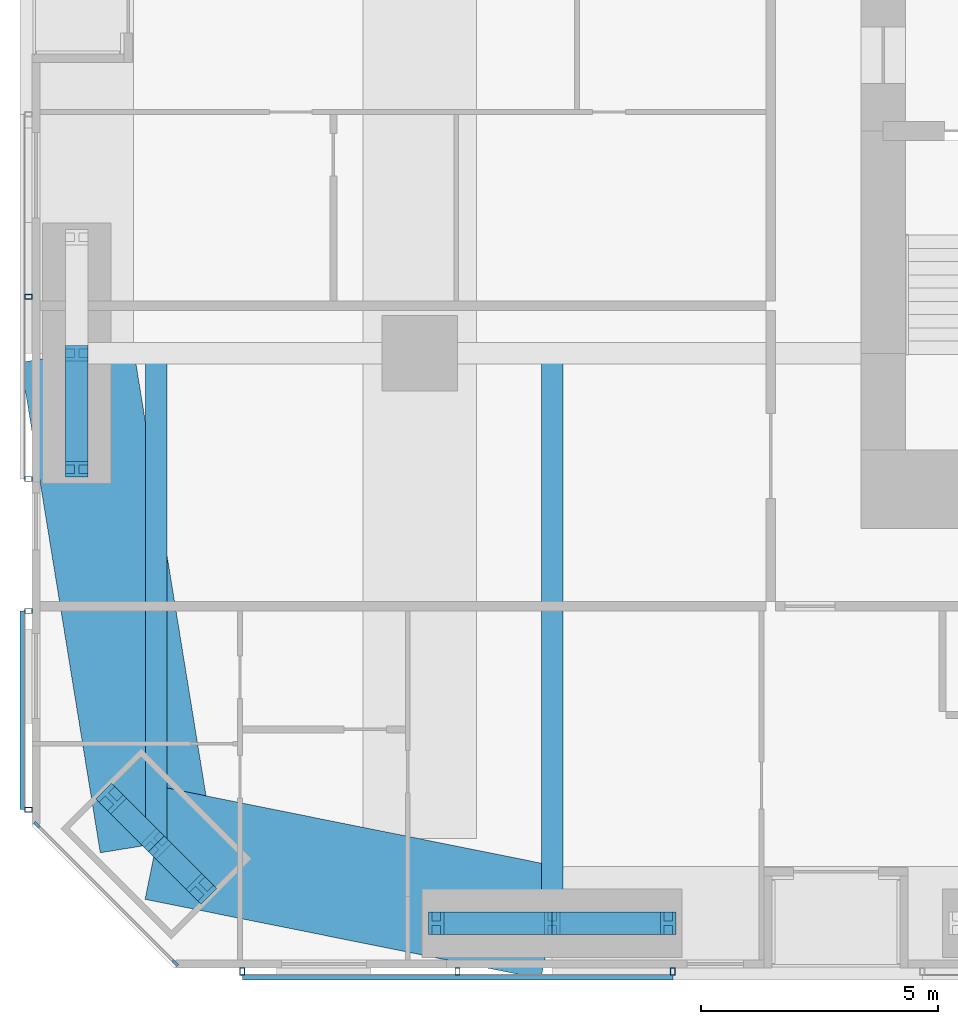
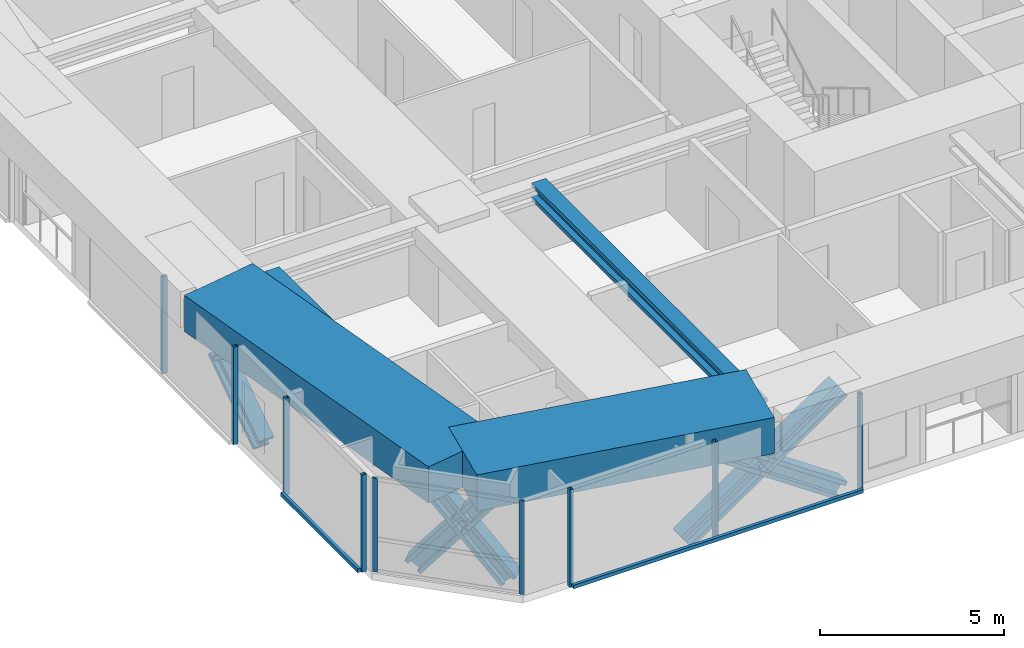
# One storey, part 2 of 22: 21 members, 4 beams, 4 elements without a shape of their own.
"""IFC4 building model written with IfcOpenShell, lengths in metres."""

from ifc_helpers import new_model, si_unit, direction, frame, origin, origin_2d, place, context, subcontext, project, spatial, rectangle, hollow_rectangle, i_section, extrude, material, material_profile, profile_set, type_object, element, aggregate, save


model = new_model("IFC4")

# Units and contexts
model_context = context("Model", 3, precision=1e-05, world=origin(), true_north=direction((0.0, 1.0)))
body_context = subcontext(model_context, "Body", "Model", "MODEL_VIEW")
ifc_project = project(units=[si_unit("LENGTHUNIT", "METRE"), si_unit("AREAUNIT", "SQUARE_METRE"), si_unit("VOLUMEUNIT", "CUBIC_METRE"), si_unit("PLANEANGLEUNIT", "RADIAN"), si_unit("MASSUNIT", "GRAM", prefix="KILO")], contexts=[model_context])

# Site, building, storey
site_placement = place(None, origin())
site = spatial("IfcSite", under=ifc_project, at=site_placement, CompositionType="ELEMENT")
building_placement = place(site_placement, origin())
building = spatial("IfcBuilding", under=site, at=building_placement, Name="Jalousie Tower", CompositionType="ELEMENT")
storey_placement = place(building_placement, frame((0.0, 0.0, 67.89990234375)))
storey = spatial("IfcBuildingStorey", under=building, at=storey_placement, Name="L18", CompositionType="ELEMENT", Elevation=67.89990234375)

# Curtain wall, members
ifc_material_1 = material(Name="Aluminium curtain wall", Category="aluminium")
curtain_wall_type_1 = type_object("IfcCurtainWallType", Name="CORNER WINDOW WALL", PredefinedType="USERDEFINED", material=ifc_material_1)
curtain_wall_1_placement = place(storey_placement, origin())
curtain_wall_1 = element("IfcCurtainWall", 1, at=curtain_wall_1_placement, inside=storey, type_object=curtain_wall_type_1, Name="Corner Window Wall L18 8", ObjectType="CORNER WINDOW WALL", PredefinedType="USERDEFINED")
ifc_material_2 = material(Name="Aluminium mullion", Category="aluminium")
ifc_material_profile_1 = material_profile(ifc_material_2, rectangle(XDim=0.06005859375, YDim=0.14990234375, at=origin_2d()), Name="MULLION 60x150")
ifc_profile_set_1 = profile_set([ifc_material_profile_1], Name="Aluminium mullion")
member_type_1 = type_object("IfcMemberType", Name="CORNER WINDOW WALL MULLION", PredefinedType="MULLION", material=ifc_profile_set_1)
member_1_placement = place(storey_placement, frame((2.108642578125, 3.030029296875, 0.0), z_axis=(0.0, 0.0, 1.0), x_axis=(0.707106781187, 0.707106781187, 0.0)))
member_1 = element("IfcMember", 2, at=member_1_placement, type_object=member_type_1, Name="CW-C mullion 1", PredefinedType="MULLION", context=body_context, shape_type="SweptSolid", body=[
    extrude(rectangle(XDim=0.06005859375, YDim=0.14990234375, at=origin_2d()), origin(), (0.0, 0.0, 1.0), 3.110107421875),
])
member_2_placement = place(storey_placement, frame((5.030029296875, 0.108642578125, 0.0), z_axis=(0.0, 0.0, 1.0), x_axis=(0.707106781187, 0.707106781187, 0.0)))
member_2 = element("IfcMember", 3, at=member_2_placement, type_object=member_type_1, Name="CW-C mullion 2", PredefinedType="MULLION", context=body_context, shape_type="SweptSolid", body=[
    extrude(rectangle(XDim=0.06005859375, YDim=0.14990234375, at=origin_2d()), origin(), (0.0, 0.0, 1.0), 3.110107421875),
])
aggregate(curtain_wall_1, [member_1, member_2])

# Beams
ifc_material_3 = material(Name="Steel ASTM A992 Grade 50", Category="steel")
ifc_material_profile_2 = material_profile(ifc_material_3, i_section(OverallWidth=0.45458984375, OverallDepth=0.569091796875, WebThickness=0.077880859375, FlangeThickness=0.124755859375, at=origin_2d()), Name="W14X730")
ifc_profile_set_2 = profile_set([ifc_material_profile_2], Name="Steel ASTM A992 Grade 50")
beam_type_1 = type_object("IfcBeamType", Name="LEAN COLLECTOR W14X730", PredefinedType="BEAM", material=ifc_profile_set_2)
beam_1_placement = place(storey_placement, frame((4.63134765625, 2.63134765625, 2.82568359375), z_axis=(0.0, 1.0, 0.0), x_axis=(-1.0, 0.0, 0.0)))
element("IfcBeam", 4, at=beam_1_placement, inside=storey, type_object=beam_type_1, Name="Lean collector under L19", PredefinedType="BEAM", context=body_context, shape_type="SweptSolid", body=[
    extrude(i_section(OverallWidth=0.45458984375, OverallDepth=0.569091796875, WebThickness=0.077880859375, FlangeThickness=0.124755859375, at=origin_2d()), origin(), (0.0, 0.0, 1.0), 10.36865234375),
])
beam_2_placement = place(storey_placement, frame((13.0, 0.949951171875, 2.82568359375), z_axis=(0.0, 1.0, 0.0), x_axis=(-1.0, 0.0, 0.0)))
element("IfcBeam", 5, at=beam_2_placement, inside=storey, type_object=beam_type_1, Name="Lean collector under L19", PredefinedType="BEAM", context=body_context, shape_type="SweptSolid", body=[
    extrude(i_section(OverallWidth=0.45458984375, OverallDepth=0.569091796875, WebThickness=0.077880859375, FlangeThickness=0.124755859375, at=origin_2d()), origin(), (0.0, 0.0, 1.0), 12.050048828125),
])

# Members
ifc_material_4 = material(Name="Steel ASTM A992 Grade 50", Category="steel")
ifc_material_profile_3 = material_profile(ifc_material_4, i_section(OverallWidth=0.472412109375, OverallDepth=0.5791015625, WebThickness=0.094970703125, FlangeThickness=0.1298828125, at=origin_2d()), Name="W14X808")
ifc_profile_set_3 = profile_set([ifc_material_profile_3], Name="Steel ASTM A992 Grade 50")
member_type_2 = type_object("IfcMemberType", Name="PERIMETER BRACE W14X808", PredefinedType="BRACE", material=ifc_profile_set_3)
member_3_placement = place(storey_placement, frame((3.6767578125, 3.5859375, -0.599853515625), z_axis=(0.443718327034, -0.443718327034, 0.778606506849), x_axis=(0.707106781187, 0.707106781187, 0.0)))
element("IfcMember", 6, at=member_3_placement, inside=storey, type_object=member_type_2, Name="Perimeter brace 01 L18 part 1", PredefinedType="BRACE", context=body_context, shape_type="SweptSolid", body=[
    extrude(i_section(OverallWidth=0.472412109375, OverallDepth=0.5791015625, WebThickness=0.094970703125, FlangeThickness=0.1298828125, at=origin_2d()), origin(), (0.0, 0.0, 1.0), 2.1513671875),
])
member_4_placement = place(storey_placement, frame((4.63134765625, 2.63134765625, 1.0751953125), z_axis=(0.443757535686, -0.443757535686, 0.778561814529), x_axis=(0.707106781187, 0.707106781187, 0.0)))
element("IfcMember", 7, at=member_4_placement, inside=storey, type_object=member_type_2, Name="Perimeter brace 01 L18 part 2", PredefinedType="BRACE", context=body_context, shape_type="SweptSolid", body=[
    extrude(i_section(OverallWidth=0.472412109375, OverallDepth=0.5791015625, WebThickness=0.094970703125, FlangeThickness=0.1298828125, at=origin_2d()), origin(), (0.0, 0.0, 1.0), 2.151123046875),
])
member_5_placement = place(storey_placement, frame((5.5859375, 1.6767578125, -0.599853515625), z_axis=(-0.443718327034, 0.443718327034, 0.778606506849), x_axis=(-0.707106781187, -0.707106781187, 0.0)))
element("IfcMember", 8, at=member_5_placement, inside=storey, type_object=member_type_2, Name="Perimeter brace 01 L18 part 3", PredefinedType="BRACE", context=body_context, shape_type="SweptSolid", body=[
    extrude(i_section(OverallWidth=0.472412109375, OverallDepth=0.5791015625, WebThickness=0.094970703125, FlangeThickness=0.1298828125, at=origin_2d()), origin(), (0.0, 0.0, 1.0), 2.1513671875),
])
member_6_placement = place(storey_placement, frame((4.63134765625, 2.63134765625, 1.0751953125), z_axis=(-0.443757535686, 0.443757535686, 0.778561814529), x_axis=(-0.707106781187, -0.707106781187, 0.0)))
element("IfcMember", 9, at=member_6_placement, inside=storey, type_object=member_type_2, Name="Perimeter brace 01 L18 part 4", PredefinedType="BRACE", context=body_context, shape_type="SweptSolid", body=[
    extrude(i_section(OverallWidth=0.472412109375, OverallDepth=0.5791015625, WebThickness=0.094970703125, FlangeThickness=0.1298828125, at=origin_2d()), origin(), (0.0, 0.0, 1.0), 2.151123046875),
])
for number, where, z_axis, x_axis, name in (
    (10, (10.550048828125, 0.949951171875, -0.599853515625), (0.825500916831, 0.0, 0.564400776321), (0.0, 1.0, 0.0), "Perimeter brace 02 L18 part 1"),
    (11, (13.0, 0.949951171875, 1.0751953125), (0.825539243753, 0.0, 0.564344714713), (0.0, 1.0, 0.0), "Perimeter brace 02 L18 part 2"),
    (12, (15.449951171875, 0.949951171875, -0.599853515625), (-0.825500916831, 0.0, 0.564400776321), (0.0, -1.0, 0.0), "Perimeter brace 02 L18 part 3"),
    (13, (13.0, 0.949951171875, 1.0751953125), (-0.825539243753, 0.0, 0.564344714713), (0.0, -1.0, 0.0), "Perimeter brace 02 L18 part 4"),
    (14, (2.949951171875, 10.550048828125, -0.599853515625), (0.0, 0.825500916831, 0.564400776321), (-1.0, 0.0, 0.0), "Perimeter brace 14 L18 part 1"),
    (15, (2.949951171875, 13.0, 1.0751953125), (0.0, -0.825539243753, 0.564344714713), (1.0, 0.0, 0.0), "Perimeter brace 14 L18 part 4"),
):
    element("IfcMember", number, at=place(storey_placement, frame(where, z_axis=z_axis, x_axis=x_axis)), inside=storey, type_object=member_type_2, Name=name, PredefinedType="BRACE", context=body_context, shape_type="SweptSolid", body=[
        extrude(i_section(OverallWidth=0.472412109375, OverallDepth=0.5791015625, WebThickness=0.094970703125, FlangeThickness=0.1298828125, at=origin_2d()), origin(), (0.0, 0.0, 1.0), 2.9677734375),
    ])

# Beams
ifc_material_5 = material(Name="Concrete f'c 40 MPa", Category="concrete")
ifc_material_profile_4 = material_profile(ifc_material_5, rectangle(XDim=2.39990234375, YDim=1.199951171875, at=origin_2d()), Name="RC 2400x1200")
ifc_profile_set_4 = profile_set([ifc_material_profile_4], Name="Concrete f'c 40 MPa")
beam_type_2 = type_object("IfcBeamType", Name="RC BEAM 2400x1200", PredefinedType="BEAM", material=ifc_profile_set_4)
beam_3_placement = place(storey_placement, frame((4.63134765625, 2.63134765625, 2.75), z_axis=(0.980407585444, -0.196979609107, 0.0), x_axis=(0.196979609107, 0.980407585444, 0.0)))
element("IfcBeam", 16, at=beam_3_placement, inside=storey, type_object=beam_type_2, Name="Edge band beam 01-02 under L19", PredefinedType="BEAM", context=body_context, shape_type="SweptSolid", body=[
    extrude(rectangle(XDim=2.39990234375, YDim=1.199951171875, at=origin_2d()), origin(), (0.0, 0.0, 1.0), 8.535888671875),
])
beam_4_placement = place(storey_placement, frame((2.949951171875, 13.0, 2.75), z_axis=(0.160070546476, -0.987105577003, 0.0), x_axis=(0.987105577003, 0.160070546476, 0.0)))
element("IfcBeam", 17, at=beam_4_placement, inside=storey, type_object=beam_type_2, Name="Edge band beam 14-01 under L19", PredefinedType="BEAM", context=body_context, shape_type="SweptSolid", body=[
    extrude(rectangle(XDim=2.39990234375, YDim=1.199951171875, at=origin_2d()), origin(), (0.0, 0.0, 1.0), 10.504150390625),
])

# Curtain wall, members
ifc_material_6 = material(Name="Perforated aluminium sheet", Category="aluminium")
curtain_wall_type_2 = type_object("IfcCurtainWallType", Name="SOLAR SCREEN SS-1", PredefinedType="USERDEFINED", material=ifc_material_6)
curtain_wall_2_placement = place(storey_placement, origin())
curtain_wall_2 = element("IfcCurtainWall", 18, at=curtain_wall_2_placement, inside=storey, type_object=curtain_wall_type_2, Name="Solar screen L18", ObjectType="SOLAR SCREEN SS-1", PredefinedType="USERDEFINED")
ifc_material_7 = material(Name="Steel ASTM A500 Grade C", Category="steel")
ifc_material_profile_5 = material_profile(ifc_material_7, hollow_rectangle(XDim=0.1015625, YDim=0.15234375, WallThickness=0.00634765625, at=origin_2d()), Name="HSS6X4X1/4")
ifc_profile_set_5 = profile_set([ifc_material_profile_5], Name="Steel ASTM A500 Grade C")
member_type_3 = type_object("IfcMemberType", Name="SOLAR SCREEN SS-1 MULLION", PredefinedType="MULLION", material=ifc_profile_set_5)
member_7_placement = place(storey_placement, frame((6.449951171875, -0.0712890625, -0.119873046875), z_axis=(0.0, 0.0, 1.0), x_axis=(1.0, 0.0, 0.0)))
member_7 = element("IfcMember", 19, at=member_7_placement, type_object=member_type_3, Name="SS1 post 1", PredefinedType="MULLION", context=body_context, shape_type="SweptSolid", body=[
    extrude(hollow_rectangle(XDim=0.1015625, YDim=0.15234375, WallThickness=0.00634765625, at=origin_2d()), origin(), (0.0, 0.0, 1.0), 3.22998046875),
])
member_8_placement = place(storey_placement, frame((11.0, -0.0712890625, -0.119873046875), z_axis=(0.0, 0.0, 1.0), x_axis=(1.0, 0.0, 0.0)))
member_8 = element("IfcMember", 20, at=member_8_placement, type_object=member_type_3, Name="SS1 post 2", PredefinedType="MULLION", context=body_context, shape_type="SweptSolid", body=[
    extrude(hollow_rectangle(XDim=0.1015625, YDim=0.15234375, WallThickness=0.00634765625, at=origin_2d()), origin(), (0.0, 0.0, 1.0), 3.22998046875),
])
member_9_placement = place(storey_placement, frame((15.550048828125, -0.0712890625, -0.119873046875), z_axis=(0.0, 0.0, 1.0), x_axis=(1.0, 0.0, 0.0)))
member_9 = element("IfcMember", 21, at=member_9_placement, type_object=member_type_3, Name="SS1 post 3", PredefinedType="MULLION", context=body_context, shape_type="SweptSolid", body=[
    extrude(hollow_rectangle(XDim=0.1015625, YDim=0.15234375, WallThickness=0.00634765625, at=origin_2d()), origin(), (0.0, 0.0, 1.0), 3.22998046875),
])

curtain_wall_3_placement = place(storey_placement, origin())
curtain_wall_3 = element("IfcCurtainWall", 22, at=curtain_wall_3_placement, inside=storey, type_object=curtain_wall_type_2, Name="Solar screen L18", ObjectType="SOLAR SCREEN SS-1", PredefinedType="USERDEFINED")
member_10_placement = place(storey_placement, frame((1.9287109375, 14.197021484375, -0.119873046875), z_axis=(0.0, 0.0, 1.0), x_axis=(0.0, -1.0, 0.0)))
member_10 = element("IfcMember", 23, at=member_10_placement, type_object=member_type_3, Name="SS1 post 2", PredefinedType="MULLION", context=body_context, shape_type="SweptSolid", body=[
    extrude(hollow_rectangle(XDim=0.1015625, YDim=0.15234375, WallThickness=0.00634765625, at=origin_2d()), origin(), (0.0, 0.0, 1.0), 3.22998046875),
])
member_11_placement = place(storey_placement, frame((1.9287109375, 10.34375, -0.119873046875), z_axis=(0.0, 0.0, 1.0), x_axis=(0.0, -1.0, 0.0)))
member_11 = element("IfcMember", 24, at=member_11_placement, type_object=member_type_3, Name="SS1 post 3", PredefinedType="MULLION", context=body_context, shape_type="SweptSolid", body=[
    extrude(hollow_rectangle(XDim=0.1015625, YDim=0.15234375, WallThickness=0.00634765625, at=origin_2d()), origin(), (0.0, 0.0, 1.0), 3.22998046875),
])
aggregate(curtain_wall_3, [member_10, member_11])

curtain_wall_4_placement = place(storey_placement, origin())
curtain_wall_4 = element("IfcCurtainWall", 25, at=curtain_wall_4_placement, inside=storey, type_object=curtain_wall_type_2, Name="Solar screen L18", ObjectType="SOLAR SCREEN SS-1", PredefinedType="USERDEFINED")
member_12_placement = place(storey_placement, frame((1.9287109375, 7.550048828125, -0.119873046875), z_axis=(0.0, 0.0, 1.0), x_axis=(0.0, -1.0, 0.0)))
member_12 = element("IfcMember", 26, at=member_12_placement, type_object=member_type_3, Name="SS1 post 1", PredefinedType="MULLION", context=body_context, shape_type="SweptSolid", body=[
    extrude(hollow_rectangle(XDim=0.1015625, YDim=0.15234375, WallThickness=0.00634765625, at=origin_2d()), origin(), (0.0, 0.0, 1.0), 3.22998046875),
])
member_13_placement = place(storey_placement, frame((1.9287109375, 3.351318359375, -0.119873046875), z_axis=(0.0, 0.0, 1.0), x_axis=(0.0, -1.0, 0.0)))
member_13 = element("IfcMember", 27, at=member_13_placement, type_object=member_type_3, Name="SS1 post 2", PredefinedType="MULLION", context=body_context, shape_type="SweptSolid", body=[
    extrude(hollow_rectangle(XDim=0.1015625, YDim=0.15234375, WallThickness=0.00634765625, at=origin_2d()), origin(), (0.0, 0.0, 1.0), 3.22998046875),
])

# Member
ifc_material_8 = material(Name="Extruded aluminium screen rail", Category="aluminium")
ifc_material_profile_6 = material_profile(ifc_material_8, rectangle(XDim=0.1015625, YDim=0.1201171875, at=origin_2d()), Name="RAIL 102x120")
ifc_profile_set_6 = profile_set([ifc_material_profile_6], Name="Extruded aluminium screen rail")
member_type_4 = type_object("IfcMemberType", Name="SOLAR SCREEN SS-1 TRANSOM", PredefinedType="USERDEFINED", material=ifc_profile_set_6)
member_14_placement = place(storey_placement, frame((6.449951171875, -0.1982421875, -0.059814453125), z_axis=(1.0, 0.0, 0.0), x_axis=(0.0, 1.0, 0.0)))
member_14 = element("IfcMember", 28, at=member_14_placement, type_object=member_type_4, Name="SS1 rail", ObjectType="TRANSOM", PredefinedType="USERDEFINED", context=body_context, shape_type="SweptSolid", body=[
    extrude(rectangle(XDim=0.1015625, YDim=0.1201171875, at=origin_2d()), origin(), (0.0, 0.0, 1.0), 9.10009765625),
])

aggregate(curtain_wall_2, [member_7, member_8, member_9, member_14])

member_15_placement = place(storey_placement, frame((1.8017578125, 7.550048828125, -0.059814453125), z_axis=(0.0, -1.0, 0.0), x_axis=(1.0, 0.0, 0.0)))
member_15 = element("IfcMember", 29, at=member_15_placement, type_object=member_type_4, Name="SS1 rail", ObjectType="TRANSOM", PredefinedType="USERDEFINED", context=body_context, shape_type="SweptSolid", body=[
    extrude(rectangle(XDim=0.1015625, YDim=0.1201171875, at=origin_2d()), origin(), (0.0, 0.0, 1.0), 4.19873046875),
])

aggregate(curtain_wall_4, [member_12, member_13, member_15])

save(model, "model.ifc")
